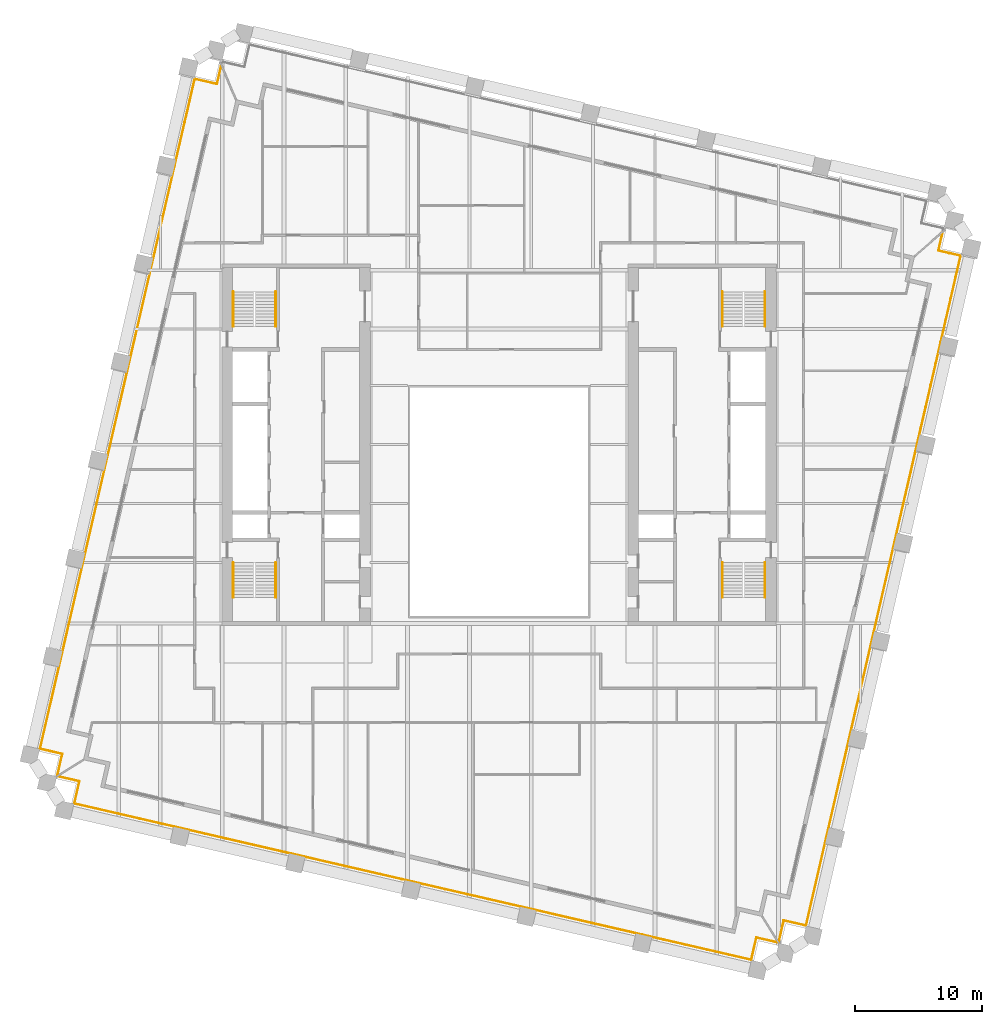
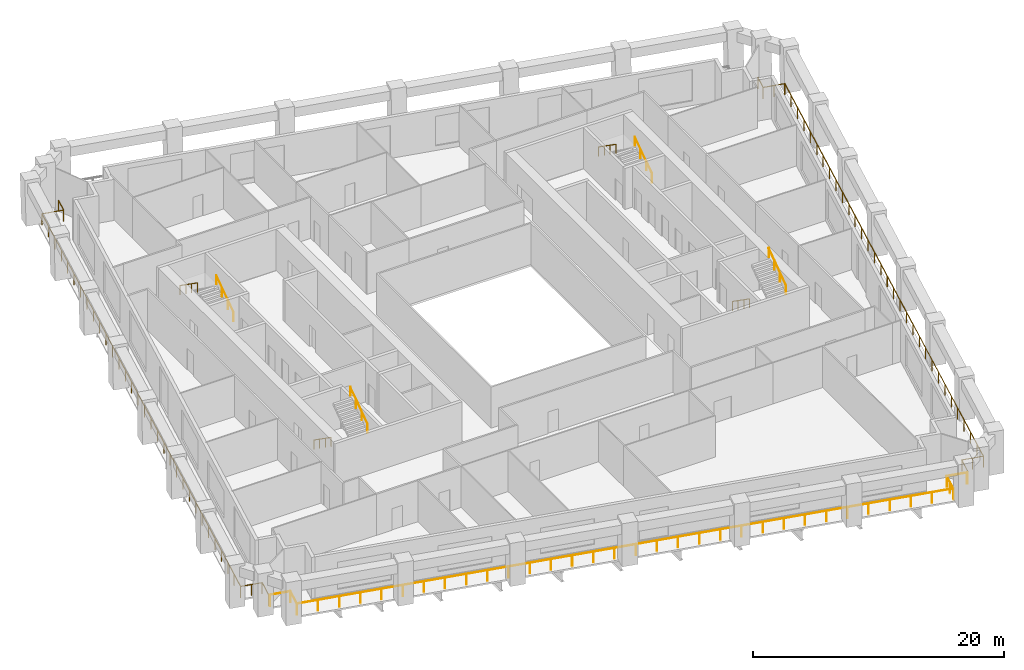
# One storey, part 10 of 11: 11 railings.
"""IFC4 building model written with IfcOpenShell, lengths in metres."""

from ifc_helpers import new_model, si_unit, direction, frame, origin, origin_2d, place, context, subcontext, project, spatial, circle, extrude, material, type_object, element, save


model = new_model("IFC4")

# Units and contexts
model_context = context("Model", 3, precision=1e-05, world=origin(), true_north=direction((0.0, 1.0)))
body_context = subcontext(model_context, "Body", "Model", "MODEL_VIEW")
ifc_project = project(units=[si_unit("LENGTHUNIT", "METRE"), si_unit("AREAUNIT", "SQUARE_METRE"), si_unit("VOLUMEUNIT", "CUBIC_METRE"), si_unit("PLANEANGLEUNIT", "RADIAN"), si_unit("MASSUNIT", "GRAM", prefix="KILO")], contexts=[model_context])

# Site, building, storey
site_placement = place(None, origin())
site = spatial("IfcSite", under=ifc_project, at=site_placement, CompositionType="ELEMENT")
building_placement = place(site_placement, origin())
building = spatial("IfcBuilding", under=site, at=building_placement, Name="Ogive Exchange Tower", CompositionType="ELEMENT")
storey_placement = place(building_placement, frame((0.0, 0.0, 109.800048828125)))
storey = spatial("IfcBuildingStorey", under=building, at=storey_placement, Name="L23", CompositionType="ELEMENT", Elevation=109.800048828125)

# Railings
ifc_material_1 = material(Name="Stainless steel 316", Category="steel")
railing_type_1 = type_object("IfcRailingType", Name="Guard 1100 stainless steel and glass", PredefinedType="GUARDRAIL", material=ifc_material_1)
railing_1_placement = place(storey_placement, frame((21.947265625, -27.74462890625, -0.050048828125)))
element("IfcRailing", 1, at=railing_1_placement, inside=storey, type_object=railing_type_1, Name="Loggia guard 1", PredefinedType="GUARDRAIL", context=body_context, shape_type="SweptSolid", body=[
    extrude(circle(Radius=0.02392578125, at=origin_2d()), frame((0.0, 0.0, 1.076171875), z_axis=(-0.974396013545, 0.224838628327, 0.0), x_axis=(-0.224838628327, -0.974396013545, 0.0)), (0.0, 0.0, 1.0), 1.7080078125),
    extrude(circle(Radius=0.02392578125, at=origin_2d()), frame((-1.664306640625, 0.384033203125, 1.076171875), z_axis=(-0.225008086135, -0.974356896201, 0.0), x_axis=(0.974356896201, -0.225008086135, 0.0)), (0.0, 0.0, 1.0), 1.800048828125),
    extrude(circle(Radius=0.02392578125, at=origin_2d()), frame((-2.0693359375, -1.369873046875, 1.076171875), z_axis=(-0.974368873975, 0.224956212247, 0.0), x_axis=(-0.224956212247, -0.974368873975, 0.0)), (0.0, 0.0, 1.0), 54.760009765625),
    extrude(circle(Radius=0.02392578125, at=origin_2d()), frame((-55.42578125, 10.94873046875, 1.076171875), z_axis=(0.22503782496, 0.974350028141, 0.0), x_axis=(-0.974350028141, 0.22503782496, 0.0)), (0.0, 0.0, 1.0), 1.7998046875),
    extrude(circle(Radius=0.02392578125, at=origin_2d()), frame((-55.020751953125, 12.702392578125, 1.076171875), z_axis=(-0.974364690374, 0.224974332206, 0.0), x_axis=(-0.224974332206, -0.974364690374, 0.0)), (0.0, 0.0, 1.0), 1.7080078125),
    extrude(circle(Radius=0.02099609375, at=origin_2d()), origin(), (0.0, 0.0, 1.0), 1.052001953125),
    extrude(circle(Radius=0.02099609375, at=origin_2d()), frame((-1.664306640625, 0.384033203125, 0.0)), (0.0, 0.0, 1.0), 1.052001953125),
    extrude(circle(Radius=0.02099609375, at=origin_2d()), frame((-1.86669921875, -0.492919921875, 0.0)), (0.0, 0.0, 1.0), 1.052001953125),
    extrude(circle(Radius=0.02099609375, at=origin_2d()), frame((-2.0693359375, -1.369873046875, 0.0)), (0.0, 0.0, 1.0), 1.052001953125),
    extrude(circle(Radius=0.02099609375, at=origin_2d()), frame((-3.79052734375, -0.972412109375, 0.0)), (0.0, 0.0, 1.0), 1.052001953125),
    extrude(circle(Radius=0.02099609375, at=origin_2d()), frame((-5.51171875, -0.5751953125, 0.0)), (0.0, 0.0, 1.0), 1.052001953125),
    extrude(circle(Radius=0.02099609375, at=origin_2d()), frame((-7.23291015625, -0.177734375, 0.0)), (0.0, 0.0, 1.0), 1.052001953125),
    extrude(circle(Radius=0.02099609375, at=origin_2d()), frame((-8.9541015625, 0.2197265625, 0.0)), (0.0, 0.0, 1.0), 1.052001953125),
    extrude(circle(Radius=0.02099609375, at=origin_2d()), frame((-10.67529296875, 0.616943359375, 0.0)), (0.0, 0.0, 1.0), 1.052001953125),
    extrude(circle(Radius=0.02099609375, at=origin_2d()), frame((-12.396484375, 1.014404296875, 0.0)), (0.0, 0.0, 1.0), 1.052001953125),
    extrude(circle(Radius=0.02099609375, at=origin_2d()), frame((-14.11767578125, 1.411865234375, 0.0)), (0.0, 0.0, 1.0), 1.052001953125),
    extrude(circle(Radius=0.02099609375, at=origin_2d()), frame((-15.838623046875, 1.80908203125, 0.0)), (0.0, 0.0, 1.0), 1.052001953125),
    extrude(circle(Radius=0.02099609375, at=origin_2d()), frame((-17.559814453125, 2.20654296875, 0.0)), (0.0, 0.0, 1.0), 1.052001953125),
    extrude(circle(Radius=0.02099609375, at=origin_2d()), frame((-19.281005859375, 2.603759765625, 0.0)), (0.0, 0.0, 1.0), 1.052001953125),
    extrude(circle(Radius=0.02099609375, at=origin_2d()), frame((-21.002197265625, 3.001220703125, 0.0)), (0.0, 0.0, 1.0), 1.052001953125),
    extrude(circle(Radius=0.02099609375, at=origin_2d()), frame((-22.723388671875, 3.398681640625, 0.0)), (0.0, 0.0, 1.0), 1.052001953125),
    extrude(circle(Radius=0.02099609375, at=origin_2d()), frame((-24.444580078125, 3.7958984375, 0.0)), (0.0, 0.0, 1.0), 1.052001953125),
    extrude(circle(Radius=0.02099609375, at=origin_2d()), frame((-26.165771484375, 4.193359375, 0.0)), (0.0, 0.0, 1.0), 1.052001953125),
    extrude(circle(Radius=0.02099609375, at=origin_2d()), frame((-27.886962890625, 4.5908203125, 0.0)), (0.0, 0.0, 1.0), 1.052001953125),
    extrude(circle(Radius=0.02099609375, at=origin_2d()), frame((-29.608154296875, 4.988037109375, 0.0)), (0.0, 0.0, 1.0), 1.052001953125),
    extrude(circle(Radius=0.02099609375, at=origin_2d()), frame((-31.329345703125, 5.385498046875, 0.0)), (0.0, 0.0, 1.0), 1.052001953125),
    extrude(circle(Radius=0.02099609375, at=origin_2d()), frame((-33.050537109375, 5.782958984375, 0.0)), (0.0, 0.0, 1.0), 1.052001953125),
    extrude(circle(Radius=0.02099609375, at=origin_2d()), frame((-34.771728515625, 6.18017578125, 0.0)), (0.0, 0.0, 1.0), 1.052001953125),
    extrude(circle(Radius=0.02099609375, at=origin_2d()), frame((-36.492919921875, 6.57763671875, 0.0)), (0.0, 0.0, 1.0), 1.052001953125),
    extrude(circle(Radius=0.02099609375, at=origin_2d()), frame((-38.214111328125, 6.97509765625, 0.0)), (0.0, 0.0, 1.0), 1.052001953125),
    extrude(circle(Radius=0.02099609375, at=origin_2d()), frame((-39.935302734375, 7.372314453125, 0.0)), (0.0, 0.0, 1.0), 1.052001953125),
    extrude(circle(Radius=0.02099609375, at=origin_2d()), frame((-41.656494140625, 7.769775390625, 0.0)), (0.0, 0.0, 1.0), 1.052001953125),
    extrude(circle(Radius=0.02099609375, at=origin_2d()), frame((-43.37744140625, 8.1669921875, 0.0)), (0.0, 0.0, 1.0), 1.052001953125),
    extrude(circle(Radius=0.02099609375, at=origin_2d()), frame((-45.0986328125, 8.564453125, 0.0)), (0.0, 0.0, 1.0), 1.052001953125),
    extrude(circle(Radius=0.02099609375, at=origin_2d()), frame((-46.81982421875, 8.9619140625, 0.0)), (0.0, 0.0, 1.0), 1.052001953125),
    extrude(circle(Radius=0.02099609375, at=origin_2d()), frame((-48.541015625, 9.359130859375, 0.0)), (0.0, 0.0, 1.0), 1.052001953125),
    extrude(circle(Radius=0.02099609375, at=origin_2d()), frame((-50.26220703125, 9.756591796875, 0.0)), (0.0, 0.0, 1.0), 1.052001953125),
    extrude(circle(Radius=0.02099609375, at=origin_2d()), frame((-51.9833984375, 10.154052734375, 0.0)), (0.0, 0.0, 1.0), 1.052001953125),
    extrude(circle(Radius=0.02099609375, at=origin_2d()), frame((-53.70458984375, 10.55126953125, 0.0)), (0.0, 0.0, 1.0), 1.052001953125),
    extrude(circle(Radius=0.02099609375, at=origin_2d()), frame((-55.42578125, 10.94873046875, 0.0)), (0.0, 0.0, 1.0), 1.052001953125),
    extrude(circle(Radius=0.02099609375, at=origin_2d()), frame((-55.020751953125, 12.702392578125, 0.0)), (0.0, 0.0, 1.0), 1.052001953125),
    extrude(circle(Radius=0.02099609375, at=origin_2d()), frame((-56.68505859375, 13.086669921875, 0.0)), (0.0, 0.0, 1.0), 1.052001953125),
])
railing_2_placement = place(storey_placement, frame((-34.806884765625, -14.547607421875, -0.050048828125)))
element("IfcRailing", 2, at=railing_2_placement, inside=storey, type_object=railing_type_1, Name="Loggia guard 2", PredefinedType="GUARDRAIL", context=body_context, shape_type="SweptSolid", body=[
    extrude(circle(Radius=0.02392578125, at=origin_2d()), frame((0.0, 0.0, 1.076171875), z_axis=(0.224974332206, 0.974364690374, 0.0), x_axis=(-0.974364690374, 0.224974332206, 0.0)), (0.0, 0.0, 1.0), 1.7080078125),
    extrude(circle(Radius=0.02392578125, at=origin_2d()), frame((0.38427734375, 1.664306640625, 1.076171875), z_axis=(-0.974386623598, 0.224879318197, 0.0), x_axis=(-0.224879318197, -0.974386623598, 0.0)), (0.0, 0.0, 1.0), 1.800048828125),
    extrude(circle(Radius=0.02392578125, at=origin_2d()), frame((-1.36962890625, 2.069091796875, 1.076171875), z_axis=(0.224954272654, 0.974369321774, 0.0), x_axis=(-0.974369321774, 0.224954272654, 0.0)), (0.0, 0.0, 1.0), 54.1875),
    extrude(circle(Radius=0.02392578125, at=origin_2d()), frame((10.820068359375, 54.86767578125, 1.076171875), z_axis=(0.974350028141, -0.22503782496, 0.0), x_axis=(0.22503782496, 0.974350028141, 0.0)), (0.0, 0.0, 1.0), 1.7998046875),
    extrude(circle(Radius=0.02392578125, at=origin_2d()), frame((12.57373046875, 54.462646484375, 1.076171875), z_axis=(0.225021600783, 0.974353775166, 0.0), x_axis=(-0.974353775166, 0.225021600783, 0.0)), (0.0, 0.0, 1.0), 1.429931640625),
    extrude(circle(Radius=0.02099609375, at=origin_2d()), origin(), (0.0, 0.0, 1.0), 1.052001953125),
    extrude(circle(Radius=0.02099609375, at=origin_2d()), frame((0.38427734375, 1.664306640625, 0.0)), (0.0, 0.0, 1.0), 1.052001953125),
    extrude(circle(Radius=0.02099609375, at=origin_2d()), frame((-0.49267578125, 1.86669921875, 0.0)), (0.0, 0.0, 1.0), 1.052001953125),
    extrude(circle(Radius=0.02099609375, at=origin_2d()), frame((-1.36962890625, 2.069091796875, 0.0)), (0.0, 0.0, 1.0), 1.052001953125),
    extrude(circle(Radius=0.02099609375, at=origin_2d()), frame((-0.976318359375, 3.772216796875, 0.0)), (0.0, 0.0, 1.0), 1.052001953125),
    extrude(circle(Radius=0.02099609375, at=origin_2d()), frame((-0.583251953125, 5.475341796875, 0.0)), (0.0, 0.0, 1.0), 1.052001953125),
    extrude(circle(Radius=0.02099609375, at=origin_2d()), frame((-0.18994140625, 7.1787109375, 0.0)), (0.0, 0.0, 1.0), 1.052001953125),
    extrude(circle(Radius=0.02099609375, at=origin_2d()), frame((0.203125, 8.8818359375, 0.0)), (0.0, 0.0, 1.0), 1.052001953125),
    extrude(circle(Radius=0.02099609375, at=origin_2d()), frame((0.596435546875, 10.5849609375, 0.0)), (0.0, 0.0, 1.0), 1.052001953125),
    extrude(circle(Radius=0.02099609375, at=origin_2d()), frame((0.98974609375, 12.2880859375, 0.0)), (0.0, 0.0, 1.0), 1.052001953125),
    extrude(circle(Radius=0.02099609375, at=origin_2d()), frame((1.3828125, 13.991455078125, 0.0)), (0.0, 0.0, 1.0), 1.052001953125),
    extrude(circle(Radius=0.02099609375, at=origin_2d()), frame((1.776123046875, 15.694580078125, 0.0)), (0.0, 0.0, 1.0), 1.052001953125),
    extrude(circle(Radius=0.02099609375, at=origin_2d()), frame((2.16943359375, 17.397705078125, 0.0)), (0.0, 0.0, 1.0), 1.052001953125),
    extrude(circle(Radius=0.02099609375, at=origin_2d()), frame((2.5625, 19.100830078125, 0.0)), (0.0, 0.0, 1.0), 1.052001953125),
    extrude(circle(Radius=0.02099609375, at=origin_2d()), frame((2.955810546875, 20.803955078125, 0.0)), (0.0, 0.0, 1.0), 1.052001953125),
    extrude(circle(Radius=0.02099609375, at=origin_2d()), frame((3.348876953125, 22.50732421875, 0.0)), (0.0, 0.0, 1.0), 1.052001953125),
    extrude(circle(Radius=0.02099609375, at=origin_2d()), frame((3.7421875, 24.21044921875, 0.0)), (0.0, 0.0, 1.0), 1.052001953125),
    extrude(circle(Radius=0.02099609375, at=origin_2d()), frame((4.135498046875, 25.91357421875, 0.0)), (0.0, 0.0, 1.0), 1.052001953125),
    extrude(circle(Radius=0.02099609375, at=origin_2d()), frame((4.528564453125, 27.61669921875, 0.0)), (0.0, 0.0, 1.0), 1.052001953125),
    extrude(circle(Radius=0.02099609375, at=origin_2d()), frame((4.921875, 29.320068359375, 0.0)), (0.0, 0.0, 1.0), 1.052001953125),
    extrude(circle(Radius=0.02099609375, at=origin_2d()), frame((5.31494140625, 31.023193359375, 0.0)), (0.0, 0.0, 1.0), 1.052001953125),
    extrude(circle(Radius=0.02099609375, at=origin_2d()), frame((5.708251953125, 32.726318359375, 0.0)), (0.0, 0.0, 1.0), 1.052001953125),
    extrude(circle(Radius=0.02099609375, at=origin_2d()), frame((6.1015625, 34.429443359375, 0.0)), (0.0, 0.0, 1.0), 1.052001953125),
    extrude(circle(Radius=0.02099609375, at=origin_2d()), frame((6.49462890625, 36.1328125, 0.0)), (0.0, 0.0, 1.0), 1.052001953125),
    extrude(circle(Radius=0.02099609375, at=origin_2d()), frame((6.887939453125, 37.8359375, 0.0)), (0.0, 0.0, 1.0), 1.052001953125),
    extrude(circle(Radius=0.02099609375, at=origin_2d()), frame((7.281005859375, 39.5390625, 0.0)), (0.0, 0.0, 1.0), 1.052001953125),
    extrude(circle(Radius=0.02099609375, at=origin_2d()), frame((7.67431640625, 41.2421875, 0.0)), (0.0, 0.0, 1.0), 1.052001953125),
    extrude(circle(Radius=0.02099609375, at=origin_2d()), frame((8.067626953125, 42.9453125, 0.0)), (0.0, 0.0, 1.0), 1.052001953125),
    extrude(circle(Radius=0.02099609375, at=origin_2d()), frame((8.460693359375, 44.648681640625, 0.0)), (0.0, 0.0, 1.0), 1.052001953125),
    extrude(circle(Radius=0.02099609375, at=origin_2d()), frame((8.85400390625, 46.351806640625, 0.0)), (0.0, 0.0, 1.0), 1.052001953125),
    extrude(circle(Radius=0.02099609375, at=origin_2d()), frame((9.247314453125, 48.054931640625, 0.0)), (0.0, 0.0, 1.0), 1.052001953125),
    extrude(circle(Radius=0.02099609375, at=origin_2d()), frame((9.640380859375, 49.758056640625, 0.0)), (0.0, 0.0, 1.0), 1.052001953125),
    extrude(circle(Radius=0.02099609375, at=origin_2d()), frame((10.03369140625, 51.46142578125, 0.0)), (0.0, 0.0, 1.0), 1.052001953125),
    extrude(circle(Radius=0.02099609375, at=origin_2d()), frame((10.4267578125, 53.16455078125, 0.0)), (0.0, 0.0, 1.0), 1.052001953125),
    extrude(circle(Radius=0.02099609375, at=origin_2d()), frame((10.820068359375, 54.86767578125, 0.0)), (0.0, 0.0, 1.0), 1.052001953125),
    extrude(circle(Radius=0.02099609375, at=origin_2d()), frame((12.57373046875, 54.462646484375, 0.0)), (0.0, 0.0, 1.0), 1.052001953125),
    extrude(circle(Radius=0.02099609375, at=origin_2d()), frame((12.8955078125, 55.85595703125, 0.0)), (0.0, 0.0, 1.0), 1.052001953125),
])
railing_3_placement = place(storey_placement, frame((34.952880859375, 28.180419921875, -0.050048828125)))
element("IfcRailing", 3, at=railing_3_placement, inside=storey, type_object=railing_type_1, Name="Loggia guard 4", PredefinedType="GUARDRAIL", context=body_context, shape_type="SweptSolid", body=[
    extrude(circle(Radius=0.02392578125, at=origin_2d()), frame((0.0, 0.0, 1.076171875), z_axis=(-0.22498417427, -0.974362417855, 0.0), x_axis=(0.974362417855, -0.22498417427, 0.0)), (0.0, 0.0, 1.0), 1.43017578125),
    extrude(circle(Radius=0.02392578125, at=origin_2d()), frame((-0.32177734375, -1.3935546875, 1.076171875), z_axis=(0.974386623598, -0.224879318197, 0.0), x_axis=(0.224879318197, 0.974386623598, 0.0)), (0.0, 0.0, 1.0), 1.800048828125),
    extrude(circle(Radius=0.02392578125, at=origin_2d()), frame((1.43212890625, -1.79833984375, 1.076171875), z_axis=(-0.224949995161, -0.974370309316, 0.0), x_axis=(0.974370309316, -0.224949995161, 0.0)), (0.0, 0.0, 1.0), 54.1875),
    extrude(circle(Radius=0.02392578125, at=origin_2d()), frame((-10.75732421875, -54.596923828125, 1.076171875), z_axis=(-0.974356896201, 0.225008086135, 0.0), x_axis=(-0.225008086135, -0.974356896201, 0.0)), (0.0, 0.0, 1.0), 1.800048828125),
    extrude(circle(Radius=0.02392578125, at=origin_2d()), frame((-12.51123046875, -54.19189453125, 1.076171875), z_axis=(-0.224974332206, -0.974364690374, 0.0), x_axis=(0.974364690374, -0.224974332206, 0.0)), (0.0, 0.0, 1.0), 1.7080078125),
    extrude(circle(Radius=0.02099609375, at=origin_2d()), origin(), (0.0, 0.0, 1.0), 1.052001953125),
    extrude(circle(Radius=0.02099609375, at=origin_2d()), frame((-0.32177734375, -1.3935546875, 0.0)), (0.0, 0.0, 1.0), 1.052001953125),
    extrude(circle(Radius=0.02099609375, at=origin_2d()), frame((0.55517578125, -1.595947265625, 0.0)), (0.0, 0.0, 1.0), 1.052001953125),
    extrude(circle(Radius=0.02099609375, at=origin_2d()), frame((1.43212890625, -1.79833984375, 0.0)), (0.0, 0.0, 1.0), 1.052001953125),
    extrude(circle(Radius=0.02099609375, at=origin_2d()), frame((1.038818359375, -3.50146484375, 0.0)), (0.0, 0.0, 1.0), 1.052001953125),
    extrude(circle(Radius=0.02099609375, at=origin_2d()), frame((0.645751953125, -5.20458984375, 0.0)), (0.0, 0.0, 1.0), 1.052001953125),
    extrude(circle(Radius=0.02099609375, at=origin_2d()), frame((0.25244140625, -6.907958984375, 0.0)), (0.0, 0.0, 1.0), 1.052001953125),
    extrude(circle(Radius=0.02099609375, at=origin_2d()), frame((-0.140625, -8.611083984375, 0.0)), (0.0, 0.0, 1.0), 1.052001953125),
    extrude(circle(Radius=0.02099609375, at=origin_2d()), frame((-0.533935546875, -10.314208984375, 0.0)), (0.0, 0.0, 1.0), 1.052001953125),
    extrude(circle(Radius=0.02099609375, at=origin_2d()), frame((-0.927001953125, -12.017333984375, 0.0)), (0.0, 0.0, 1.0), 1.052001953125),
    extrude(circle(Radius=0.02099609375, at=origin_2d()), frame((-1.3203125, -13.720703125, 0.0)), (0.0, 0.0, 1.0), 1.052001953125),
    extrude(circle(Radius=0.02099609375, at=origin_2d()), frame((-1.713623046875, -15.423828125, 0.0)), (0.0, 0.0, 1.0), 1.052001953125),
    extrude(circle(Radius=0.02099609375, at=origin_2d()), frame((-2.106689453125, -17.126953125, 0.0)), (0.0, 0.0, 1.0), 1.052001953125),
    extrude(circle(Radius=0.02099609375, at=origin_2d()), frame((-2.5, -18.830078125, 0.0)), (0.0, 0.0, 1.0), 1.052001953125),
    extrude(circle(Radius=0.02099609375, at=origin_2d()), frame((-2.89306640625, -20.533203125, 0.0)), (0.0, 0.0, 1.0), 1.052001953125),
    extrude(circle(Radius=0.02099609375, at=origin_2d()), frame((-3.286376953125, -22.236572265625, 0.0)), (0.0, 0.0, 1.0), 1.052001953125),
    extrude(circle(Radius=0.02099609375, at=origin_2d()), frame((-3.6796875, -23.939697265625, 0.0)), (0.0, 0.0, 1.0), 1.052001953125),
    extrude(circle(Radius=0.02099609375, at=origin_2d()), frame((-4.07275390625, -25.642822265625, 0.0)), (0.0, 0.0, 1.0), 1.052001953125),
    extrude(circle(Radius=0.02099609375, at=origin_2d()), frame((-4.466064453125, -27.345947265625, 0.0)), (0.0, 0.0, 1.0), 1.052001953125),
    extrude(circle(Radius=0.02099609375, at=origin_2d()), frame((-4.859130859375, -29.04931640625, 0.0)), (0.0, 0.0, 1.0), 1.052001953125),
    extrude(circle(Radius=0.02099609375, at=origin_2d()), frame((-5.25244140625, -30.75244140625, 0.0)), (0.0, 0.0, 1.0), 1.052001953125),
    extrude(circle(Radius=0.02099609375, at=origin_2d()), frame((-5.6455078125, -32.45556640625, 0.0)), (0.0, 0.0, 1.0), 1.052001953125),
    extrude(circle(Radius=0.02099609375, at=origin_2d()), frame((-6.038818359375, -34.15869140625, 0.0)), (0.0, 0.0, 1.0), 1.052001953125),
    extrude(circle(Radius=0.02099609375, at=origin_2d()), frame((-6.43212890625, -35.862060546875, 0.0)), (0.0, 0.0, 1.0), 1.052001953125),
    extrude(circle(Radius=0.02099609375, at=origin_2d()), frame((-6.8251953125, -37.565185546875, 0.0)), (0.0, 0.0, 1.0), 1.052001953125),
    extrude(circle(Radius=0.02099609375, at=origin_2d()), frame((-7.218505859375, -39.268310546875, 0.0)), (0.0, 0.0, 1.0), 1.052001953125),
    extrude(circle(Radius=0.02099609375, at=origin_2d()), frame((-7.611572265625, -40.971435546875, 0.0)), (0.0, 0.0, 1.0), 1.052001953125),
    extrude(circle(Radius=0.02099609375, at=origin_2d()), frame((-8.0048828125, -42.674560546875, 0.0)), (0.0, 0.0, 1.0), 1.052001953125),
    extrude(circle(Radius=0.02099609375, at=origin_2d()), frame((-8.398193359375, -44.3779296875, 0.0)), (0.0, 0.0, 1.0), 1.052001953125),
    extrude(circle(Radius=0.02099609375, at=origin_2d()), frame((-8.791259765625, -46.0810546875, 0.0)), (0.0, 0.0, 1.0), 1.052001953125),
    extrude(circle(Radius=0.02099609375, at=origin_2d()), frame((-9.1845703125, -47.7841796875, 0.0)), (0.0, 0.0, 1.0), 1.052001953125),
    extrude(circle(Radius=0.02099609375, at=origin_2d()), frame((-9.57763671875, -49.4873046875, 0.0)), (0.0, 0.0, 1.0), 1.052001953125),
    extrude(circle(Radius=0.02099609375, at=origin_2d()), frame((-9.970947265625, -51.190673828125, 0.0)), (0.0, 0.0, 1.0), 1.052001953125),
    extrude(circle(Radius=0.02099609375, at=origin_2d()), frame((-10.364013671875, -52.893798828125, 0.0)), (0.0, 0.0, 1.0), 1.052001953125),
    extrude(circle(Radius=0.02099609375, at=origin_2d()), frame((-10.75732421875, -54.596923828125, 0.0)), (0.0, 0.0, 1.0), 1.052001953125),
    extrude(circle(Radius=0.02099609375, at=origin_2d()), frame((-11.63427734375, -54.39453125, 0.0)), (0.0, 0.0, 1.0), 1.052001953125),
    extrude(circle(Radius=0.02099609375, at=origin_2d()), frame((-12.51123046875, -54.19189453125, 0.0)), (0.0, 0.0, 1.0), 1.052001953125),
    extrude(circle(Radius=0.02099609375, at=origin_2d()), frame((-12.8955078125, -55.856201171875, 0.0)), (0.0, 0.0, 1.0), 1.052001953125),
])
ifc_material_2 = material(Name="Stainless steel", Category="steel")
railing_type_2 = type_object("IfcRailingType", Name="Stair handrail 900", PredefinedType="HANDRAIL", material=ifc_material_2)
railing_4_placement = place(storey_placement, frame((-20.949951171875, 2.199951171875, 0.175048828125)))
element("IfcRailing", 4, at=railing_4_placement, inside=storey, type_object=railing_type_2, Name="L23 ST1 stair handrail 1", PredefinedType="HANDRAIL", context=body_context, shape_type="SweptSolid", body=[
    extrude(circle(Radius=0.02392578125, at=origin_2d()), frame((0.0, 0.0, 0.8759765625), z_axis=(0.0, -0.819259255306, 0.573423292687), x_axis=(1.0, 0.0, 0.0)), (0.0, 0.0, 1.0), 3.356689453125),
    extrude(circle(Radius=0.02099609375, at=origin_2d()), origin(), (0.0, 0.0, 1.0), 0.851806640625),
    extrude(circle(Radius=0.02099609375, at=origin_2d()), frame((0.0, -0.916748046875, 0.6416015625)), (0.0, 0.0, 1.0), 0.851806640625),
    extrude(circle(Radius=0.02099609375, at=origin_2d()), frame((0.0, -1.833251953125, 1.283203125)), (0.0, 0.0, 1.0), 0.851806640625),
    extrude(circle(Radius=0.02099609375, at=origin_2d()), frame((0.0, -2.75, 1.9248046875)), (0.0, 0.0, 1.0), 0.851806640625),
])
railing_5_placement = place(storey_placement, frame((-17.60009765625, -0.550048828125, 2.27490234375)))
element("IfcRailing", 5, at=railing_5_placement, inside=storey, type_object=railing_type_2, Name="L23 ST1 stair handrail 2", PredefinedType="HANDRAIL", context=body_context, shape_type="SweptSolid", body=[
    extrude(circle(Radius=0.02392578125, at=origin_2d()), frame((0.0, 0.0, 0.8759765625), z_axis=(0.0, 0.819225086817, 0.573472106672), x_axis=(-1.0, 0.0, 0.0)), (0.0, 0.0, 1.0), 3.35693359375),
    extrude(circle(Radius=0.02099609375, at=origin_2d()), origin(), (0.0, 0.0, 1.0), 0.851806640625),
    extrude(circle(Radius=0.02099609375, at=origin_2d()), frame((0.0, 0.916748046875, 0.6416015625)), (0.0, 0.0, 1.0), 0.851806640625),
    extrude(circle(Radius=0.02099609375, at=origin_2d()), frame((0.0, 1.833251953125, 1.283447265625)), (0.0, 0.0, 1.0), 0.851806640625),
    extrude(circle(Radius=0.02099609375, at=origin_2d()), frame((0.0, 2.75, 1.925048828125)), (0.0, 0.0, 1.0), 0.851806640625),
])
railing_6_placement = place(storey_placement, frame((-17.60009765625, 20.800048828125, 0.175048828125)))
element("IfcRailing", 6, at=railing_6_placement, inside=storey, type_object=railing_type_2, Name="L23 ST2 stair handrail 1", PredefinedType="HANDRAIL", context=body_context, shape_type="SweptSolid", body=[
    extrude(circle(Radius=0.02392578125, at=origin_2d()), frame((0.0, 0.0, 0.8759765625), z_axis=(0.0, 0.819259255306, 0.573423292687), x_axis=(-1.0, 0.0, 0.0)), (0.0, 0.0, 1.0), 3.356689453125),
    extrude(circle(Radius=0.02099609375, at=origin_2d()), origin(), (0.0, 0.0, 1.0), 0.851806640625),
    extrude(circle(Radius=0.02099609375, at=origin_2d()), frame((0.0, 0.916748046875, 0.6416015625)), (0.0, 0.0, 1.0), 0.851806640625),
    extrude(circle(Radius=0.02099609375, at=origin_2d()), frame((0.0, 1.833251953125, 1.283203125)), (0.0, 0.0, 1.0), 0.851806640625),
    extrude(circle(Radius=0.02099609375, at=origin_2d()), frame((0.0, 2.75, 1.9248046875)), (0.0, 0.0, 1.0), 0.851806640625),
])
railing_7_placement = place(storey_placement, frame((-20.949951171875, 23.550048828125, 2.27490234375)))
element("IfcRailing", 7, at=railing_7_placement, inside=storey, type_object=railing_type_2, Name="L23 ST2 stair handrail 2", PredefinedType="HANDRAIL", context=body_context, shape_type="SweptSolid", body=[
    extrude(circle(Radius=0.02392578125, at=origin_2d()), frame((0.0, 0.0, 0.8759765625), z_axis=(0.0, -0.819225086817, 0.573472106672), x_axis=(1.0, 0.0, 0.0)), (0.0, 0.0, 1.0), 3.35693359375),
    extrude(circle(Radius=0.02099609375, at=origin_2d()), origin(), (0.0, 0.0, 1.0), 0.851806640625),
    extrude(circle(Radius=0.02099609375, at=origin_2d()), frame((0.0, -0.916748046875, 0.6416015625)), (0.0, 0.0, 1.0), 0.851806640625),
    extrude(circle(Radius=0.02099609375, at=origin_2d()), frame((0.0, -1.833251953125, 1.283447265625)), (0.0, 0.0, 1.0), 0.851806640625),
    extrude(circle(Radius=0.02099609375, at=origin_2d()), frame((0.0, -2.75, 1.925048828125)), (0.0, 0.0, 1.0), 0.851806640625),
])
railing_8_placement = place(storey_placement, frame((17.60009765625, 2.199951171875, 0.175048828125)))
element("IfcRailing", 8, at=railing_8_placement, inside=storey, type_object=railing_type_2, Name="L23 ST3 stair handrail 1", PredefinedType="HANDRAIL", context=body_context, shape_type="SweptSolid", body=[
    extrude(circle(Radius=0.02392578125, at=origin_2d()), frame((0.0, 0.0, 0.8759765625), z_axis=(0.0, -0.819259255306, 0.573423292687), x_axis=(1.0, 0.0, 0.0)), (0.0, 0.0, 1.0), 3.356689453125),
    extrude(circle(Radius=0.02099609375, at=origin_2d()), origin(), (0.0, 0.0, 1.0), 0.851806640625),
    extrude(circle(Radius=0.02099609375, at=origin_2d()), frame((0.0, -0.916748046875, 0.6416015625)), (0.0, 0.0, 1.0), 0.851806640625),
    extrude(circle(Radius=0.02099609375, at=origin_2d()), frame((0.0, -1.833251953125, 1.283203125)), (0.0, 0.0, 1.0), 0.851806640625),
    extrude(circle(Radius=0.02099609375, at=origin_2d()), frame((0.0, -2.75, 1.9248046875)), (0.0, 0.0, 1.0), 0.851806640625),
])
railing_9_placement = place(storey_placement, frame((20.949951171875, -0.550048828125, 2.27490234375)))
element("IfcRailing", 9, at=railing_9_placement, inside=storey, type_object=railing_type_2, Name="L23 ST3 stair handrail 2", PredefinedType="HANDRAIL", context=body_context, shape_type="SweptSolid", body=[
    extrude(circle(Radius=0.02392578125, at=origin_2d()), frame((0.0, 0.0, 0.8759765625), z_axis=(0.0, 0.819225086817, 0.573472106672), x_axis=(-1.0, 0.0, 0.0)), (0.0, 0.0, 1.0), 3.35693359375),
    extrude(circle(Radius=0.02099609375, at=origin_2d()), origin(), (0.0, 0.0, 1.0), 0.851806640625),
    extrude(circle(Radius=0.02099609375, at=origin_2d()), frame((0.0, 0.916748046875, 0.6416015625)), (0.0, 0.0, 1.0), 0.851806640625),
    extrude(circle(Radius=0.02099609375, at=origin_2d()), frame((0.0, 1.833251953125, 1.283447265625)), (0.0, 0.0, 1.0), 0.851806640625),
    extrude(circle(Radius=0.02099609375, at=origin_2d()), frame((0.0, 2.75, 1.925048828125)), (0.0, 0.0, 1.0), 0.851806640625),
])
railing_10_placement = place(storey_placement, frame((20.949951171875, 20.800048828125, 0.175048828125)))
element("IfcRailing", 10, at=railing_10_placement, inside=storey, type_object=railing_type_2, Name="L23 ST4 stair handrail 1", PredefinedType="HANDRAIL", context=body_context, shape_type="SweptSolid", body=[
    extrude(circle(Radius=0.02392578125, at=origin_2d()), frame((0.0, 0.0, 0.8759765625), z_axis=(0.0, 0.819259255306, 0.573423292687), x_axis=(-1.0, 0.0, 0.0)), (0.0, 0.0, 1.0), 3.356689453125),
    extrude(circle(Radius=0.02099609375, at=origin_2d()), origin(), (0.0, 0.0, 1.0), 0.851806640625),
    extrude(circle(Radius=0.02099609375, at=origin_2d()), frame((0.0, 0.916748046875, 0.6416015625)), (0.0, 0.0, 1.0), 0.851806640625),
    extrude(circle(Radius=0.02099609375, at=origin_2d()), frame((0.0, 1.833251953125, 1.283203125)), (0.0, 0.0, 1.0), 0.851806640625),
    extrude(circle(Radius=0.02099609375, at=origin_2d()), frame((0.0, 2.75, 1.9248046875)), (0.0, 0.0, 1.0), 0.851806640625),
])
railing_11_placement = place(storey_placement, frame((17.60009765625, 23.550048828125, 2.27490234375)))
element("IfcRailing", 11, at=railing_11_placement, inside=storey, type_object=railing_type_2, Name="L23 ST4 stair handrail 2", PredefinedType="HANDRAIL", context=body_context, shape_type="SweptSolid", body=[
    extrude(circle(Radius=0.02392578125, at=origin_2d()), frame((0.0, 0.0, 0.8759765625), z_axis=(0.0, -0.819225086817, 0.573472106672), x_axis=(1.0, 0.0, 0.0)), (0.0, 0.0, 1.0), 3.35693359375),
    extrude(circle(Radius=0.02099609375, at=origin_2d()), origin(), (0.0, 0.0, 1.0), 0.851806640625),
    extrude(circle(Radius=0.02099609375, at=origin_2d()), frame((0.0, -0.916748046875, 0.6416015625)), (0.0, 0.0, 1.0), 0.851806640625),
    extrude(circle(Radius=0.02099609375, at=origin_2d()), frame((0.0, -1.833251953125, 1.283447265625)), (0.0, 0.0, 1.0), 0.851806640625),
    extrude(circle(Radius=0.02099609375, at=origin_2d()), frame((0.0, -2.75, 1.925048828125)), (0.0, 0.0, 1.0), 0.851806640625),
])

save(model, "model.ifc")
